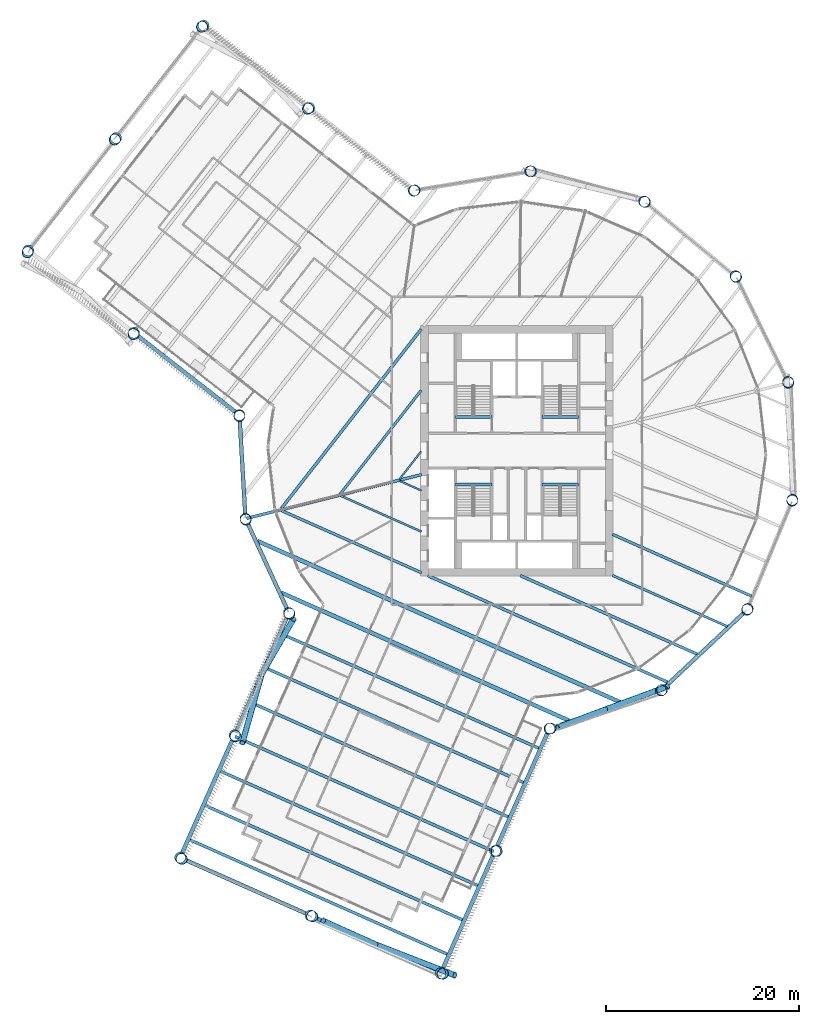
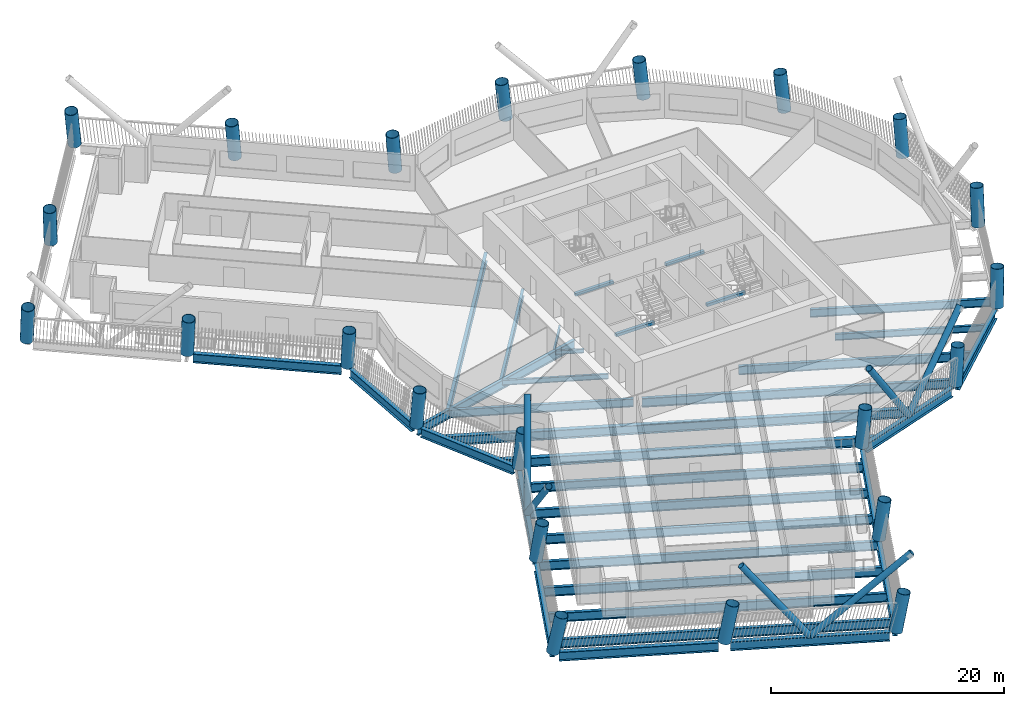
# One storey, part 1 of 22: 35 beams, 22 columns, 6 members.
"""IFC4 building model written with IfcOpenShell, lengths in metres."""

from ifc_helpers import new_model, si_unit, direction, frame, origin, origin_2d, place, context, subcontext, project, spatial, rectangle, hollow_circle, i_section, extrude, material, material_profile, profile_set, type_object, element, save


model = new_model("IFC4")

# Units and contexts
model_context = context("Model", 3, precision=1e-05, world=origin(), true_north=direction((0.0, 1.0)))
body_context = subcontext(model_context, "Body", "Model", "MODEL_VIEW")
ifc_project = project(units=[si_unit("LENGTHUNIT", "METRE"), si_unit("AREAUNIT", "SQUARE_METRE"), si_unit("VOLUMEUNIT", "CUBIC_METRE"), si_unit("PLANEANGLEUNIT", "RADIAN"), si_unit("MASSUNIT", "GRAM", prefix="KILO")], contexts=[model_context])

# Site, building, storey
site_placement = place(None, origin())
site = spatial("IfcSite", under=ifc_project, at=site_placement, CompositionType="ELEMENT")
building_placement = place(site_placement, origin())
building = spatial("IfcBuilding", under=site, at=building_placement, Name="Tarsis Ring Headquarters", CompositionType="ELEMENT")
storey_placement = place(building_placement, frame((0.0, 0.0, 116.199951171875)))
storey = spatial("IfcBuildingStorey", under=building, at=storey_placement, Name="L26", CompositionType="ELEMENT", Elevation=116.199951171875)

# Columns
ifc_material_1 = material(Name="Structural steel S355", Category="steel")
ifc_material_profile_1 = material_profile(ifc_material_1, hollow_circle(Radius=0.584228515625, WallThickness=0.044921875, at=origin_2d()), Name="CHS 1168x45")
ifc_profile_set_1 = profile_set([ifc_material_profile_1], Name="Structural steel S355")
column_type = type_object("IfcColumnType", Name="XC Exo column CHS 1168x45", PredefinedType="COLUMN", material=ifc_profile_set_1)
for number, where, z_axis, x_axis, name in (
    (1, (-28.1806640625, -7.047119140625, 0.0009765625), (0.025110807374, -0.097701602885, 0.994898911522), (0.968522721882, 0.248925163851, 0.0), "Exo column XC3 F1"),
    (2, (-23.67529296875, -16.83154296875, 0.0009765625), (0.059007311054, -0.081812670976, 0.994899404015), (0.811053698135, 0.584971707642, 0.0), "Exo column XC3 AK"),
):
    element("IfcColumn", number, at=place(storey_placement, frame(where, z_axis=z_axis, x_axis=x_axis)), inside=storey, type_object=column_type, Name=name, PredefinedType="COLUMN", context=body_context, shape_type="SweptSolid", body=[
        extrude(hollow_circle(Radius=0.584228515625, WallThickness=0.044921875, at=origin_2d()), origin(), (0.0, 0.0, 1.0), 3.918212890625),
    ])
column_1_placement = place(storey_placement, frame((-29.32080078125, -29.53564453125, 0.001220703125), z_axis=(0.102711236806, -0.100603703884, 0.989610679307), x_axis=(0.699739422959, 0.714398166261, 0.0)))
element("IfcColumn", 3, at=column_1_placement, inside=storey, type_object=column_type, Name="Exo column XC3 AI1", PredefinedType="COLUMN", context=body_context, shape_type="SweptSolid", body=[
    extrude(hollow_circle(Radius=0.584228515625, WallThickness=0.044921875, at=origin_2d()), origin(), (0.0, 0.0, 1.0), 3.938720703125),
])
column_2_placement = place(storey_placement, frame((-34.966552734375, -42.239990234375, 0.00146484375), z_axis=(0.145635606395, -0.118932668847, 0.982163576209), x_axis=(0.632524755716, 0.774540143186, 0.0)))
element("IfcColumn", 4, at=column_2_placement, inside=storey, type_object=column_type, Name="Exo column XC3 AT1", PredefinedType="COLUMN", context=body_context, shape_type="SweptSolid", body=[
    extrude(hollow_circle(Radius=0.584228515625, WallThickness=0.044921875, at=origin_2d()), origin(), (0.0, 0.0, 1.0), 3.968017578125),
])
column_3_placement = place(storey_placement, frame((-21.44189453125, -48.250244140625, 0.00146484375), z_axis=(0.166153692739, -0.072511270431, 0.983430254797), x_axis=(0.39998078862, 0.916523523285, 0.0)))
element("IfcColumn", 5, at=column_3_placement, inside=storey, type_object=column_type, Name="Exo column XC3 AT2", PredefinedType="COLUMN", context=body_context, shape_type="SweptSolid", body=[
    extrude(hollow_circle(Radius=0.584228515625, WallThickness=0.044921875, at=origin_2d()), origin(), (0.0, 0.0, 1.0), 3.962890625),
])
column_4_placement = place(storey_placement, frame((-7.9169921875, -54.260498046875, 0.00146484375), z_axis=(0.186184086815, -0.025903337921, 0.982173356848), x_axis=(0.137800289032, 0.990460034702, 0.0)))
element("IfcColumn", 6, at=column_4_placement, inside=storey, type_object=column_type, Name="Exo column XC3 AT3", PredefinedType="COLUMN", context=body_context, shape_type="SweptSolid", body=[
    extrude(hollow_circle(Radius=0.584228515625, WallThickness=0.044921875, at=origin_2d()), origin(), (0.0, 0.0, 1.0), 3.968017578125),
])
column_5_placement = place(storey_placement, frame((-2.271484375, -41.55615234375, 0.001220703125), z_axis=(0.143621885246, -0.006880461486, 0.989608717286), x_axis=(0.047851896007, 0.998854441873, 0.0)))
element("IfcColumn", 7, at=column_5_placement, inside=storey, type_object=column_type, Name="Exo column XC3 AO1", PredefinedType="COLUMN", context=body_context, shape_type="SweptSolid", body=[
    extrude(hollow_circle(Radius=0.584228515625, WallThickness=0.044921875, at=origin_2d()), origin(), (0.0, 0.0, 1.0), 3.938720703125),
])
for number, where, z_axis, x_axis, name in (
    (8, (3.3740234375, -28.851806640625, 0.0009765625), (0.100131483334, 0.012399604968, 0.994896947348), (-0.12289454101, 0.992419735692, 0.0), "Exo column XC3 AJ"),
    (9, (14.966552734375, -24.896240234375, 0.0009765625), (0.086111794371, 0.052589257923, 0.994896541768), (-0.521200197357, 0.853434446384, 0.0), "Exo column XC3 R1"),
    (10, (23.89794921875, -16.513671875, 0.0009765625), (0.056764228447, 0.08337051335, 0.994900587935), (-0.826593132773, 0.562799958114, 0.0), "Exo column XC3 R2"),
    (11, (28.580078125, -5.195068359375, 0.0009765625), (0.017384376994, 0.09938380396, 0.994897302714), (-0.98504357248, 0.172305427412, 0.0), "Exo column XC3 R3"),
    (12, (28.1806640625, 7.047119140625, 0.0009765625), (-0.025110807374, 0.097701602885, 0.994898911522), (-0.968522721882, -0.248925163851, 0.0), "Exo column XC3 R4"),
    (13, (22.7705078125, 18.03662109375, 0.0009765625), (-0.063182055129, 0.078634865457, 0.994899284272), (-0.779541249165, -0.626350892752, 0.0), "Exo column XC3 R5"),
    (14, (13.311767578125, 25.81884765625, 0.0009765625), (-0.089975213367, 0.045610703729, 0.99489905251), (-0.452148281534, -0.891942784884, 0.0), "Exo column XC3 R6"),
    (15, (1.486083984375, 29.010498046875, 0.0009765625), (-0.100816681573, 0.004486280021, 0.994894904002), (-0.044455388552, -0.99901137052, 0.0), "Exo column XC3 R7"),
    (16, (-10.60400390625, 27.0439453125, 0.0009765625), (-0.093651622286, -0.037448186955, 0.994900501024), (0.371284160582, -0.928519290107, 0.0), "Exo column XC3 BJ"),
):
    element("IfcColumn", number, at=place(storey_placement, frame(where, z_axis=z_axis, x_axis=x_axis)), inside=storey, type_object=column_type, Name=name, PredefinedType="COLUMN", context=body_context, shape_type="SweptSolid", body=[
        extrude(hollow_circle(Radius=0.584228515625, WallThickness=0.044921875, at=origin_2d()), origin(), (0.0, 0.0, 1.0), 3.918212890625),
    ])
column_6_placement = place(storey_placement, frame((-21.56494140625, 35.59521484375, 0.001220703125), z_axis=(-0.122484613791, -0.075313160807, 0.989608734396), x_axis=(0.523784705146, -0.851850680962, 0.0)))
element("IfcColumn", 17, at=column_6_placement, inside=storey, type_object=column_type, Name="Exo column XC3 BO1", PredefinedType="COLUMN", context=body_context, shape_type="SweptSolid", body=[
    extrude(hollow_circle(Radius=0.584228515625, WallThickness=0.044921875, at=origin_2d()), origin(), (0.0, 0.0, 1.0), 3.938720703125),
])
column_7_placement = place(storey_placement, frame((-32.526123046875, 44.146728515625, 0.00146484375), z_axis=(-0.150618642735, -0.112594818711, 0.98215906617), x_axis=(0.598742881578, -0.800941297324, 0.0)))
element("IfcColumn", 18, at=column_7_placement, inside=storey, type_object=column_type, Name="Exo column XC3 BT3", PredefinedType="COLUMN", context=body_context, shape_type="SweptSolid", body=[
    extrude(hollow_circle(Radius=0.584228515625, WallThickness=0.044921875, at=origin_2d()), origin(), (0.0, 0.0, 1.0), 3.968017578125),
])
column_8_placement = place(storey_placement, frame((-41.6298828125, 32.477783203125, 0.00146484375), z_axis=(-0.110523220803, -0.143667865614, 0.983434879417), x_axis=(0.792598718581, -0.609743611121, 0.0)))
element("IfcColumn", 19, at=column_8_placement, inside=storey, type_object=column_type, Name="Exo column XC3 BT2", PredefinedType="COLUMN", context=body_context, shape_type="SweptSolid", body=[
    extrude(hollow_circle(Radius=0.584228515625, WallThickness=0.044921875, at=origin_2d()), origin(), (0.0, 0.0, 1.0), 3.962890625),
])
column_9_placement = place(storey_placement, frame((-50.7333984375, 20.808837890625, 0.00146484375), z_axis=(-0.07014166909, -0.174431256026, 0.982167950596), x_axis=(0.927798046519, -0.373082812357, 0.0)))
element("IfcColumn", 20, at=column_9_placement, inside=storey, type_object=column_type, Name="Exo column XC3 BT1", PredefinedType="COLUMN", context=body_context, shape_type="SweptSolid", body=[
    extrude(hollow_circle(Radius=0.584228515625, WallThickness=0.044921875, at=origin_2d()), origin(), (0.0, 0.0, 1.0), 3.968017578125),
])
column_10_placement = place(storey_placement, frame((-39.772216796875, 12.25732421875, 0.001220703125), z_axis=(-0.041406880005, -0.137671677383, 0.989612034857), x_axis=(0.957624309967, -0.28802027873, 0.0)))
element("IfcColumn", 21, at=column_10_placement, inside=storey, type_object=column_type, Name="Exo column XC3 BI1", PredefinedType="COLUMN", context=body_context, shape_type="SweptSolid", body=[
    extrude(hollow_circle(Radius=0.584228515625, WallThickness=0.044921875, at=origin_2d()), origin(), (0.0, 0.0, 1.0), 3.938720703125),
])
column_11_placement = place(storey_placement, frame((-28.81103515625, 3.7060546875, 0.0009765625), z_axis=(-0.012212704344, -0.100131713674, 0.994899235988), x_axis=(0.992644067064, -0.121069220376, 0.0)))
element("IfcColumn", 22, at=column_11_placement, inside=storey, type_object=column_type, Name="Exo column XC3 BK", PredefinedType="COLUMN", context=body_context, shape_type="SweptSolid", body=[
    extrude(hollow_circle(Radius=0.584228515625, WallThickness=0.044921875, at=origin_2d()), origin(), (0.0, 0.0, 1.0), 3.918212890625),
])

# Beams
ifc_material_profile_2 = material_profile(ifc_material_1, i_section(OverallWidth=0.177734375, OverallDepth=0.406494140625, WebThickness=0.0078125, FlangeThickness=0.0126953125, at=origin_2d()), Name="W16x40")
ifc_profile_set_2 = profile_set([ifc_material_profile_2], Name="Structural steel S355")
beam_type_1 = type_object("IfcBeamType", Name="FB Floor beam W16x40", PredefinedType="JOIST", material=ifc_profile_set_2)
beam_1_placement = place(storey_placement, frame((-12.152099609375, -3.13525390625, -0.363037109375), z_axis=(0.913848454222, -0.406055418282, 0.0), x_axis=(0.406055418282, 0.913848454222, 0.0)))
element("IfcBeam", 23, at=beam_1_placement, inside=storey, type_object=beam_type_1, Name="Floor beam FB1", PredefinedType="JOIST", context=body_context, shape_type="SweptSolid", body=[
    extrude(i_section(OverallWidth=0.177734375, OverallDepth=0.406494140625, WebThickness=0.0078125, FlangeThickness=0.0126953125, at=origin_2d()), origin(), (0.0, 0.0, 1.0), 2.454833984375),
])
beam_2_placement = place(storey_placement, frame((-9.9384765625, -0.058349609375, -0.363037109375), z_axis=(-0.615122724737, -0.788431375271, 0.0), x_axis=(0.788431375271, -0.615122724737, 0.0)))
element("IfcBeam", 24, at=beam_2_placement, inside=storey, type_object=beam_type_1, Name="Floor beam FB1", PredefinedType="JOIST", context=body_context, shape_type="SweptSolid", body=[
    extrude(i_section(OverallWidth=0.177734375, OverallDepth=0.406494140625, WebThickness=0.0078125, FlangeThickness=0.0126953125, at=origin_2d()), origin(), (0.0, 0.0, 1.0), 3.672607421875),
])
ifc_material_profile_3 = material_profile(ifc_material_1, i_section(OverallWidth=0.209228515625, OverallDepth=0.533447265625, WebThickness=0.01025390625, FlangeThickness=0.015625, at=origin_2d()), Name="W21x62")
ifc_profile_set_3 = profile_set([ifc_material_profile_3], Name="Structural steel S355")
beam_type_2 = type_object("IfcBeamType", Name="FB Floor beam W21x62", PredefinedType="JOIST", material=ifc_profile_set_3)
beam_3_placement = place(storey_placement, frame((-18.297607421875, -4.671875, -0.4267578125), z_axis=(0.913826901716, -0.406103919828, 0.0), x_axis=(0.406103919828, 0.913826901716, 0.0)))
element("IfcBeam", 25, at=beam_3_placement, inside=storey, type_object=beam_type_2, Name="Floor beam FB3", PredefinedType="JOIST", context=body_context, shape_type="SweptSolid", body=[
    extrude(i_section(OverallWidth=0.209228515625, OverallDepth=0.533447265625, WebThickness=0.01025390625, FlangeThickness=0.015625, at=origin_2d()), origin(), (0.0, 0.0, 1.0), 9.179931640625),
])
ifc_material_profile_4 = material_profile(ifc_material_1, i_section(OverallWidth=0.2529296875, OverallDepth=0.67822265625, WebThickness=0.01171875, FlangeThickness=0.016357421875, at=origin_2d()), Name="W27x84")
ifc_profile_set_4 = profile_set([ifc_material_profile_4], Name="Structural steel S355")
beam_type_3 = type_object("IfcBeamType", Name="FB Floor beam W27x84", PredefinedType="JOIST", material=ifc_profile_set_4)
beam_4_placement = place(storey_placement, frame((9.90869140625, -12.938720703125, -0.4990234375), z_axis=(0.913821548419, -0.40611596576, 0.0), x_axis=(0.40611596576, 0.913821548419, 0.0)))
element("IfcBeam", 26, at=beam_4_placement, inside=storey, type_object=beam_type_3, Name="Floor beam FB5", PredefinedType="JOIST", context=body_context, shape_type="SweptSolid", body=[
    extrude(i_section(OverallWidth=0.2529296875, OverallDepth=0.67822265625, WebThickness=0.01171875, FlangeThickness=0.016357421875, at=origin_2d()), origin(), (0.0, 0.0, 1.0), 13.087890625),
])
ifc_material_profile_5 = material_profile(ifc_material_1, i_section(OverallWidth=0.2666015625, OverallDepth=0.7568359375, WebThickness=0.013916015625, FlangeThickness=0.019287109375, at=origin_2d()), Name="W30x108")
ifc_profile_set_5 = profile_set([ifc_material_profile_5], Name="Structural steel S355")
beam_type_4 = type_object("IfcBeamType", Name="FB Floor beam W30x108", PredefinedType="JOIST", material=ifc_profile_set_5)
beam_5_placement = place(storey_placement, frame((-9.9384765625, 6.281982421875, -0.538330078125), z_axis=(-0.615115115335, -0.788437311958, 0.0), x_axis=(0.788437311958, -0.615115115335, 0.0)))
element("IfcBeam", 27, at=beam_5_placement, inside=storey, type_object=beam_type_4, Name="Floor beam FB6", PredefinedType="JOIST", context=body_context, shape_type="SweptSolid", body=[
    extrude(i_section(OverallWidth=0.2666015625, OverallDepth=0.7568359375, WebThickness=0.013916015625, FlangeThickness=0.019287109375, at=origin_2d()), origin(), (0.0, 0.0, 1.0), 13.663330078125),
])
ifc_material_profile_6 = material_profile(ifc_material_1, i_section(OverallWidth=0.2919921875, OverallDepth=0.835693359375, WebThickness=0.013916015625, FlangeThickness=0.018798828125, at=origin_2d()), Name="W33x118")
ifc_profile_set_6 = profile_set([ifc_material_profile_6], Name="Structural steel S355")
beam_type_5 = type_object("IfcBeamType", Name="FB Floor beam W33x118", PredefinedType="JOIST", material=ifc_profile_set_6)
beam_6_placement = place(storey_placement, frame((9.90869140625, -8.671142578125, -0.577880859375), z_axis=(0.91383000542, -0.406096935711, 0.0), x_axis=(0.406096935711, 0.91383000542, 0.0)))
element("IfcBeam", 28, at=beam_6_placement, inside=storey, type_object=beam_type_5, Name="Floor beam FB7", PredefinedType="JOIST", context=body_context, shape_type="SweptSolid", body=[
    extrude(i_section(OverallWidth=0.2919921875, OverallDepth=0.835693359375, WebThickness=0.013916015625, FlangeThickness=0.018798828125, at=origin_2d()), origin(), (0.0, 0.0, 1.0), 15.81787109375),
])
beam_7_placement = place(storey_placement, frame((-24.443115234375, -6.208740234375, -0.577880859375), z_axis=(0.913829271417, -0.406098587416, 0.0), x_axis=(0.406098587416, 0.913829271417, 0.0)))
element("IfcBeam", 29, at=beam_7_placement, inside=storey, type_object=beam_type_5, Name="Floor beam FB7", PredefinedType="JOIST", context=body_context, shape_type="SweptSolid", body=[
    extrude(i_section(OverallWidth=0.2919921875, OverallDepth=0.835693359375, WebThickness=0.013916015625, FlangeThickness=0.018798828125, at=origin_2d()), origin(), (0.0, 0.0, 1.0), 15.905029296875),
])
ifc_material_profile_7 = material_profile(ifc_material_1, i_section(OverallWidth=0.3046875, OverallDepth=0.904296875, WebThickness=0.01513671875, FlangeThickness=0.02001953125, at=origin_2d()), Name="W36x135")
ifc_profile_set_7 = profile_set([ifc_material_profile_7], Name="Structural steel S355")
beam_type_6 = type_object("IfcBeamType", Name="FB Floor beam W36x135", PredefinedType="JOIST", material=ifc_profile_set_7)
beam_8_placement = place(storey_placement, frame((0.351318359375, -12.95947265625, -0.612060546875), z_axis=(0.91383101464, -0.406094664682, 0.0), x_axis=(0.406094664682, 0.91383101464, 0.0)))
element("IfcBeam", 30, at=beam_8_placement, inside=storey, type_object=beam_type_6, Name="Floor beam FB8", PredefinedType="JOIST", context=body_context, shape_type="SweptSolid", body=[
    extrude(i_section(OverallWidth=0.3046875, OverallDepth=0.904296875, WebThickness=0.01513671875, FlangeThickness=0.02001953125, at=origin_2d()), origin(), (0.0, 0.0, 1.0), 20.16943359375),
])
ifc_material_profile_8 = material_profile(ifc_material_1, i_section(OverallWidth=0.3046875, OverallDepth=0.91943359375, WebThickness=0.017333984375, FlangeThickness=0.02783203125, at=origin_2d()), Name="W36x170")
ifc_profile_set_8 = profile_set([ifc_material_profile_8], Name="Structural steel S355")
beam_type_7 = type_object("IfcBeamType", Name="FB Floor beam W36x170", PredefinedType="JOIST", material=ifc_profile_set_8)
beam_9_placement = place(storey_placement, frame((-9.9384765625, 12.622314453125, -0.61962890625), z_axis=(-0.615107517821, -0.78844323925, 0.0), x_axis=(0.78844323925, -0.615107517821, 0.0)))
element("IfcBeam", 31, at=beam_9_placement, inside=storey, type_object=beam_type_7, Name="Floor beam FB9", PredefinedType="JOIST", context=body_context, shape_type="SweptSolid", body=[
    extrude(i_section(OverallWidth=0.3046875, OverallDepth=0.91943359375, WebThickness=0.017333984375, FlangeThickness=0.02783203125, at=origin_2d()), origin(), (0.0, 0.0, 1.0), 23.654052734375),
])
ifc_material_profile_9 = material_profile(ifc_material_1, i_section(OverallWidth=0.309814453125, OverallDepth=0.949951171875, WebThickness=0.0244140625, FlangeThickness=0.0439453125, at=origin_2d()), Name="W36x256")
ifc_profile_set_9 = profile_set([ifc_material_profile_9], Name="Structural steel S355")
beam_type_8 = type_object("IfcBeamType", Name="FB Floor beam W36x256", PredefinedType="JOIST", material=ifc_profile_set_9)
beam_10_placement = place(storey_placement, frame((-9.252197265625, -12.95947265625, -0.635009765625), z_axis=(0.913830723201, -0.406095320501, 0.0), x_axis=(0.406095320501, 0.913830723201, 0.0)))
element("IfcBeam", 32, at=beam_10_placement, inside=storey, type_object=beam_type_8, Name="Floor beam FB11", PredefinedType="JOIST", context=body_context, shape_type="SweptSolid", body=[
    extrude(i_section(OverallWidth=0.309814453125, OverallDepth=0.949951171875, WebThickness=0.0244140625, FlangeThickness=0.0439453125, at=origin_2d()), origin(), (0.0, 0.0, 1.0), 27.30126953125),
])
beam_11_placement = place(storey_placement, frame((-24.5087890625, -18.98291015625, -0.635009765625), z_axis=(0.913829711829, -0.406097596372, 0.0), x_axis=(0.406097596372, 0.913829711829, 0.0)))
element("IfcBeam", 33, at=beam_11_placement, inside=storey, type_object=beam_type_8, Name="Floor beam FB11", PredefinedType="JOIST", context=body_context, shape_type="SweptSolid", body=[
    extrude(i_section(OverallWidth=0.309814453125, OverallDepth=0.949951171875, WebThickness=0.0244140625, FlangeThickness=0.0439453125, at=origin_2d()), origin(), (0.0, 0.0, 1.0), 29.375732421875),
])
beam_12_placement = place(storey_placement, frame((-26.092529296875, -22.546630859375, -0.635009765625), z_axis=(0.913826627588, -0.406104536678, 0.0), x_axis=(0.406104536678, 0.913826627588, 0.0)))
element("IfcBeam", 34, at=beam_12_placement, inside=storey, type_object=beam_type_8, Name="Floor beam FB11", PredefinedType="JOIST", context=body_context, shape_type="SweptSolid", body=[
    extrude(i_section(OverallWidth=0.309814453125, OverallDepth=0.949951171875, WebThickness=0.0244140625, FlangeThickness=0.0439453125, at=origin_2d()), origin(), (0.0, 0.0, 1.0), 29.3759765625),
])
for number, where, z_axis, x_axis, name in (
    (35, (-27.67626953125, -26.110595703125, -0.635009765625), (0.913829711829, -0.406097596372, 0.0), (0.406097596372, 0.913829711829, 0.0), "Floor beam FB11"),
    (36, (-29.260009765625, -29.674560546875, -0.635009765625), (0.913829711829, -0.406097596372, 0.0), (0.406097596372, 0.913829711829, 0.0), "Floor beam FB11"),
):
    element("IfcBeam", number, at=place(storey_placement, frame(where, z_axis=z_axis, x_axis=x_axis)), inside=storey, type_object=beam_type_8, Name=name, PredefinedType="JOIST", context=body_context, shape_type="SweptSolid", body=[
        extrude(i_section(OverallWidth=0.309814453125, OverallDepth=0.949951171875, WebThickness=0.0244140625, FlangeThickness=0.0439453125, at=origin_2d()), origin(), (0.0, 0.0, 1.0), 29.375732421875),
    ])
beam_13_placement = place(storey_placement, frame((-30.84375, -33.238525390625, -0.635009765625), z_axis=(0.913828341212, -0.406100680618, 0.0), x_axis=(0.406100680618, 0.913828341212, 0.0)))
element("IfcBeam", 37, at=beam_13_placement, inside=storey, type_object=beam_type_8, Name="Floor beam FB11", PredefinedType="JOIST", context=body_context, shape_type="SweptSolid", body=[
    extrude(i_section(OverallWidth=0.309814453125, OverallDepth=0.949951171875, WebThickness=0.0244140625, FlangeThickness=0.0439453125, at=origin_2d()), origin(), (0.0, 0.0, 1.0), 29.37548828125),
])
for number, where, z_axis, x_axis, name in (
    (38, (-32.427734375, -36.802490234375, -0.635009765625), (0.913829711829, -0.406097596372, 0.0), (0.406097596372, 0.913829711829, 0.0), "Floor beam FB11"),
    (39, (-34.011474609375, -40.366455078125, -0.635009765625), (0.913829711829, -0.406097596372, 0.0), (0.406097596372, 0.913829711829, 0.0), "Floor beam FB11"),
):
    element("IfcBeam", number, at=place(storey_placement, frame(where, z_axis=z_axis, x_axis=x_axis)), inside=storey, type_object=beam_type_8, Name=name, PredefinedType="JOIST", context=body_context, shape_type="SweptSolid", body=[
        extrude(i_section(OverallWidth=0.309814453125, OverallDepth=0.949951171875, WebThickness=0.0244140625, FlangeThickness=0.0439453125, at=origin_2d()), origin(), (0.0, 0.0, 1.0), 29.375732421875),
    ])
beam_type_9 = type_object("IfcBeamType", Name="FB Floor beam W36x256 spine", PredefinedType="BEAM", material=ifc_profile_set_9)
beam_14_placement = place(storey_placement, frame((-9.903076171875, -2.476318359375, -0.635009765625), z_axis=(-0.970124857342, -0.242606185345, 0.0), x_axis=(0.242606185345, -0.970124857342, 0.0)))
element("IfcBeam", 40, at=beam_14_placement, inside=storey, type_object=beam_type_9, Name="Floor beam SB11", PredefinedType="BEAM", context=body_context, shape_type="SweptSolid", body=[
    extrude(i_section(OverallWidth=0.309814453125, OverallDepth=0.949951171875, WebThickness=0.0244140625, FlangeThickness=0.0439453125, at=origin_2d()), origin(), (0.0, 0.0, 1.0), 18.724609375),
])
ifc_material_profile_10 = material_profile(ifc_material_1, i_section(OverallWidth=0.42431640625, OverallDepth=0.947509765625, WebThickness=0.02392578125, FlangeThickness=0.042724609375, at=origin_2d()), Name="W36x302")
ifc_profile_set_10 = profile_set([ifc_material_profile_10], Name="Structural steel S355")
beam_type_10 = type_object("IfcBeamType", Name="FB Floor beam W36x302", PredefinedType="JOIST", material=ifc_profile_set_10)
beam_15_placement = place(storey_placement, frame((-26.954833984375, -9.3603515625, -0.633544921875), z_axis=(0.913829563403, -0.40609793037, 0.0), x_axis=(0.40609793037, 0.913829563403, 0.0)))
element("IfcBeam", 41, at=beam_15_placement, inside=storey, type_object=beam_type_10, Name="Floor beam FB12", PredefinedType="JOIST", context=body_context, shape_type="SweptSolid", body=[
    extrude(i_section(OverallWidth=0.42431640625, OverallDepth=0.947509765625, WebThickness=0.02392578125, FlangeThickness=0.042724609375, at=origin_2d()), origin(), (0.0, 0.0, 1.0), 41.353271484375),
])
beam_16_placement = place(storey_placement, frame((-24.48388671875, -14.72607421875, -0.633544921875), z_axis=(0.91383001782, -0.406096907809, 0.0), x_axis=(0.406096907809, 0.91383001782, 0.0)))
element("IfcBeam", 42, at=beam_16_placement, inside=storey, type_object=beam_type_10, Name="Floor beam FB12", PredefinedType="JOIST", context=body_context, shape_type="SweptSolid", body=[
    extrude(i_section(OverallWidth=0.42431640625, OverallDepth=0.947509765625, WebThickness=0.02392578125, FlangeThickness=0.042724609375, at=origin_2d()), origin(), (0.0, 0.0, 1.0), 32.70458984375),
])
ifc_material_2 = material(Name="Concrete C40/50", Category="concrete")
ifc_material_profile_11 = material_profile(ifc_material_2, rectangle(XDim=0.300048828125, YDim=0.300048828125, at=origin_2d()), Name="Stair head beam 300x300 C40/50")
ifc_profile_set_11 = profile_set([ifc_material_profile_11], Name="Concrete C40/50")
beam_type_11 = type_object("IfcBeamType", Name="Stair head beam 300x300 C40/50", PredefinedType="BEAM", material=ifc_profile_set_11)
for number, where, z_axis, x_axis, name in (
    (43, (-6.39990234375, 3.510009765625, -0.31005859375), (1.0, 0.0, 0.0), (0.0, 1.0, 0.0), "Stair head beam L26 Firefighting stair"),
    (44, (2.60009765625, 3.510009765625, -0.31005859375), (1.0, 0.0, 0.0), (0.0, 1.0, 0.0), "Stair head beam L26 Exit stair B"),
    (45, (-6.39990234375, -3.510009765625, -0.31005859375), (1.0, 0.0, 0.0), (0.0, 1.0, 0.0), "Stair head beam L26 Exit stair C"),
    (46, (2.60009765625, -3.510009765625, -0.31005859375), (1.0, 0.0, 0.0), (0.0, 1.0, 0.0), "Stair head beam L26 Exit stair D"),
):
    element("IfcBeam", number, at=place(storey_placement, frame(where, z_axis=z_axis, x_axis=x_axis)), inside=storey, type_object=beam_type_11, Name=name, PredefinedType="BEAM", context=body_context, shape_type="SweptSolid", body=[
        extrude(rectangle(XDim=0.300048828125, YDim=0.300048828125, at=origin_2d()), origin(), (0.0, 0.0, 1.0), 3.7998046875),
    ])

# Members
ifc_material_profile_12 = material_profile(ifc_material_1, hollow_circle(Radius=0.3046875, WallThickness=0.02490234375, at=origin_2d()), Name="CHS 610x25")
ifc_profile_set_12 = profile_set([ifc_material_profile_12], Name="Structural steel S355")
member_type = type_object("IfcMemberType", Name="XD X brace CHS 610x25", PredefinedType="BRACE", material=ifc_profile_set_12)
member_1_placement = place(storey_placement, frame((-26.498046875, -23.18359375, 0.0), z_axis=(-0.18656875387, -0.663322804794, 0.72470335774), x_axis=(0.962647454543, -0.270757969894, 0.0)))
element("IfcMember", 47, at=member_1_placement, inside=storey, type_object=member_type, Name="X brace XD1", PredefinedType="BRACE", context=body_context, shape_type="SweptSolid", body=[
    extrude(hollow_circle(Radius=0.3046875, WallThickness=0.02490234375, at=origin_2d()), origin(), (0.0, 0.0, 1.0), 10.76318359375),
])
member_2_placement = place(storey_placement, frame((-26.498046875, -23.18359375, 0.0), z_axis=(0.322108455697, 0.55945278643, 0.763713770024), x_axis=(-0.866622942079, 0.498963602141, 0.0)))
element("IfcMember", 48, at=member_2_placement, inside=storey, type_object=member_type, Name="X brace XD1", PredefinedType="BRACE", context=body_context, shape_type="SweptSolid", body=[
    extrude(hollow_circle(Radius=0.3046875, WallThickness=0.02490234375, at=origin_2d()), origin(), (0.0, 0.0, 1.0), 10.21337890625),
])
member_3_placement = place(storey_placement, frame((-14.6796875, -51.25537109375, 0.0), z_axis=(0.69906048432, -0.271436980212, 0.661540932245), x_axis=(0.36195986352, 0.93219368009, 0.0)))
element("IfcMember", 49, at=member_3_placement, inside=storey, type_object=member_type, Name="X brace XD1", PredefinedType="BRACE", context=body_context, shape_type="SweptSolid", body=[
    extrude(hollow_circle(Radius=0.3046875, WallThickness=0.02490234375, at=origin_2d()), origin(), (0.0, 0.0, 1.0), 11.790771484375),
])
member_4_placement = place(storey_placement, frame((-14.6796875, -51.25537109375, 0.0), z_axis=(-0.554171631336, 0.2484646388, 0.794455238694), x_axis=(-0.409114684556, -0.912482972379, 0.0)))
element("IfcMember", 50, at=member_4_placement, inside=storey, type_object=member_type, Name="X brace XD1", PredefinedType="BRACE", context=body_context, shape_type="SweptSolid", body=[
    extrude(hollow_circle(Radius=0.3046875, WallThickness=0.02490234375, at=origin_2d()), origin(), (0.0, 0.0, 1.0), 9.818115234375),
])
member_5_placement = place(storey_placement, frame((9.170166015625, -26.8740234375, 0.0), z_axis=(0.621236645847, 0.229971278447, 0.749118309045), x_axis=(-0.347159874371, 0.937805961608, 0.0)))
element("IfcMember", 51, at=member_5_placement, inside=storey, type_object=member_type, Name="X brace XD1", PredefinedType="BRACE", context=body_context, shape_type="SweptSolid", body=[
    extrude(hollow_circle(Radius=0.3046875, WallThickness=0.02490234375, at=origin_2d()), origin(), (0.0, 0.0, 1.0), 10.412353515625),
])
member_6_placement = place(storey_placement, frame((9.170166015625, -26.8740234375, 0.0), z_axis=(-0.529848804885, -0.198244857047, 0.82459639862), x_axis=(0.350428379074, -0.936589531833, 0.0)))
element("IfcMember", 52, at=member_6_placement, inside=storey, type_object=member_type, Name="X brace XD1", PredefinedType="BRACE", context=body_context, shape_type="SweptSolid", body=[
    extrude(hollow_circle(Radius=0.3046875, WallThickness=0.02490234375, at=origin_2d()), origin(), (0.0, 0.0, 1.0), 9.459228515625),
])

# Beams
beam_type_12 = type_object("IfcBeamType", Name="XG Ring girder W36x302", PredefinedType="BEAM", material=ifc_profile_set_10)
beam_17_placement = place(storey_placement, frame((-27.9609375, -7.524658203125, -0.4736328125), z_axis=(0.418269597885, -0.908322929076, 0.0), x_axis=(0.908322929076, 0.418269597885, 0.0)))
element("IfcBeam", 53, at=beam_17_placement, inside=storey, type_object=beam_type_12, Name="Ring girder XG1", PredefinedType="BEAM", context=body_context, shape_type="SweptSolid", body=[
    extrude(i_section(OverallWidth=0.42431640625, OverallDepth=0.947509765625, WebThickness=0.02392578125, FlangeThickness=0.042724609375, at=origin_2d()), origin(), (0.0, 0.0, 1.0), 9.72021484375),
])
beam_18_placement = place(storey_placement, frame((-23.888916015625, -17.311767578125, -0.4736328125), z_axis=(-0.406087346447, -0.913834266733, 0.0), x_axis=(0.913834266733, -0.406087346447, 0.0)))
element("IfcBeam", 54, at=beam_18_placement, inside=storey, type_object=beam_type_12, Name="Ring girder XG1", PredefinedType="BEAM", context=body_context, shape_type="SweptSolid", body=[
    extrude(i_section(OverallWidth=0.42431640625, OverallDepth=0.947509765625, WebThickness=0.02392578125, FlangeThickness=0.042724609375, at=origin_2d()), origin(), (0.0, 0.0, 1.0), 12.8505859375),
])
beam_19_placement = place(storey_placement, frame((-29.534423828125, -30.01611328125, -0.4736328125), z_axis=(-0.40610321156, -0.91382721647, 0.0), x_axis=(0.91382721647, -0.40610321156, 0.0)))
element("IfcBeam", 55, at=beam_19_placement, inside=storey, type_object=beam_type_12, Name="Ring girder XG1", PredefinedType="BEAM", context=body_context, shape_type="SweptSolid", body=[
    extrude(i_section(OverallWidth=0.42431640625, OverallDepth=0.947509765625, WebThickness=0.02392578125, FlangeThickness=0.042724609375, at=origin_2d()), origin(), (0.0, 0.0, 1.0), 12.850830078125),
])
for number, where, z_axis, x_axis, name in (
    (56, (-34.486328125, -42.453369140625, -0.4736328125), (0.913828390178, -0.406100570432, 0.0), (0.406100570432, 0.913828390178, 0.0), "Ring girder XG1"),
    (57, (-20.96142578125, -48.463623046875, -0.4736328125), (0.913828390178, -0.406100570432, 0.0), (0.406100570432, 0.913828390178, 0.0), "Ring girder XG1"),
):
    element("IfcBeam", number, at=place(storey_placement, frame(where, z_axis=z_axis, x_axis=x_axis)), inside=storey, type_object=beam_type_12, Name=name, PredefinedType="BEAM", context=body_context, shape_type="SweptSolid", body=[
        extrude(i_section(OverallWidth=0.42431640625, OverallDepth=0.947509765625, WebThickness=0.02392578125, FlangeThickness=0.042724609375, at=origin_2d()), origin(), (0.0, 0.0, 1.0), 13.74853515625),
    ])
beam_20_placement = place(storey_placement, frame((-7.703857421875, -53.780029296875, -0.4736328125), z_axis=(0.40610321156, 0.91382721647, 0.0), x_axis=(-0.91382721647, 0.40610321156, 0.0)))
element("IfcBeam", 58, at=beam_20_placement, inside=storey, type_object=beam_type_12, Name="Ring girder XG1", PredefinedType="BEAM", context=body_context, shape_type="SweptSolid", body=[
    extrude(i_section(OverallWidth=0.42431640625, OverallDepth=0.947509765625, WebThickness=0.02392578125, FlangeThickness=0.042724609375, at=origin_2d()), origin(), (0.0, 0.0, 1.0), 12.850830078125),
])
beam_21_placement = place(storey_placement, frame((-2.05810546875, -41.07568359375, -0.4736328125), z_axis=(0.406087346447, 0.913834266733, 0.0), x_axis=(-0.913834266733, 0.406087346447, 0.0)))
element("IfcBeam", 59, at=beam_21_placement, inside=storey, type_object=beam_type_12, Name="Ring girder XG1", PredefinedType="BEAM", context=body_context, shape_type="SweptSolid", body=[
    extrude(i_section(OverallWidth=0.42431640625, OverallDepth=0.947509765625, WebThickness=0.02392578125, FlangeThickness=0.042724609375, at=origin_2d()), origin(), (0.0, 0.0, 1.0), 12.8505859375),
])
for number, where, z_axis, x_axis, name in (
    (60, (3.87158203125, -28.68212890625, -0.4736328125), (0.946415861865, 0.322950486003, 0.0), (-0.322950486003, 0.946415861865, 0.0), "Ring girder XG1"),
    (61, (15.349853515625, -24.536376953125, -0.4736328125), (0.729165172279, 0.684337746683, 0.0), (-0.684337746683, 0.729165172279, 0.0), "Ring girder XG1"),
):
    element("IfcBeam", number, at=place(storey_placement, frame(where, z_axis=z_axis, x_axis=x_axis)), inside=storey, type_object=beam_type_12, Name=name, PredefinedType="BEAM", context=body_context, shape_type="SweptSolid", body=[
        extrude(i_section(OverallWidth=0.42431640625, OverallDepth=0.947509765625, WebThickness=0.02392578125, FlangeThickness=0.042724609375, at=origin_2d()), origin(), (0.0, 0.0, 1.0), 11.197509765625),
    ])
beam_22_placement = place(storey_placement, frame((-39.357666015625, 11.93408203125, -0.4736328125), z_axis=(0.788444996111, -0.615105265875, 0.0), x_axis=(0.615105265875, 0.788444996111, 0.0)))
element("IfcBeam", 62, at=beam_22_placement, inside=storey, type_object=beam_type_12, Name="Ring girder XG1", PredefinedType="BEAM", context=body_context, shape_type="SweptSolid", body=[
    extrude(i_section(OverallWidth=0.42431640625, OverallDepth=0.947509765625, WebThickness=0.02392578125, FlangeThickness=0.042724609375, at=origin_2d()), origin(), (0.0, 0.0, 1.0), 12.850830078125),
])
beam_23_placement = place(storey_placement, frame((-28.7802734375, 3.18115234375, -0.4736328125), z_axis=(0.058523247879, -0.99828604591, 0.0), x_axis=(0.99828604591, 0.058523247879, 0.0)))
element("IfcBeam", 63, at=beam_23_placement, inside=storey, type_object=beam_type_12, Name="Ring girder XG1", PredefinedType="BEAM", context=body_context, shape_type="SweptSolid", body=[
    extrude(i_section(OverallWidth=0.42431640625, OverallDepth=0.947509765625, WebThickness=0.02392578125, FlangeThickness=0.042724609375, at=origin_2d()), origin(), (0.0, 0.0, 1.0), 9.719970703125),
])

save(model, "model.ifc")
